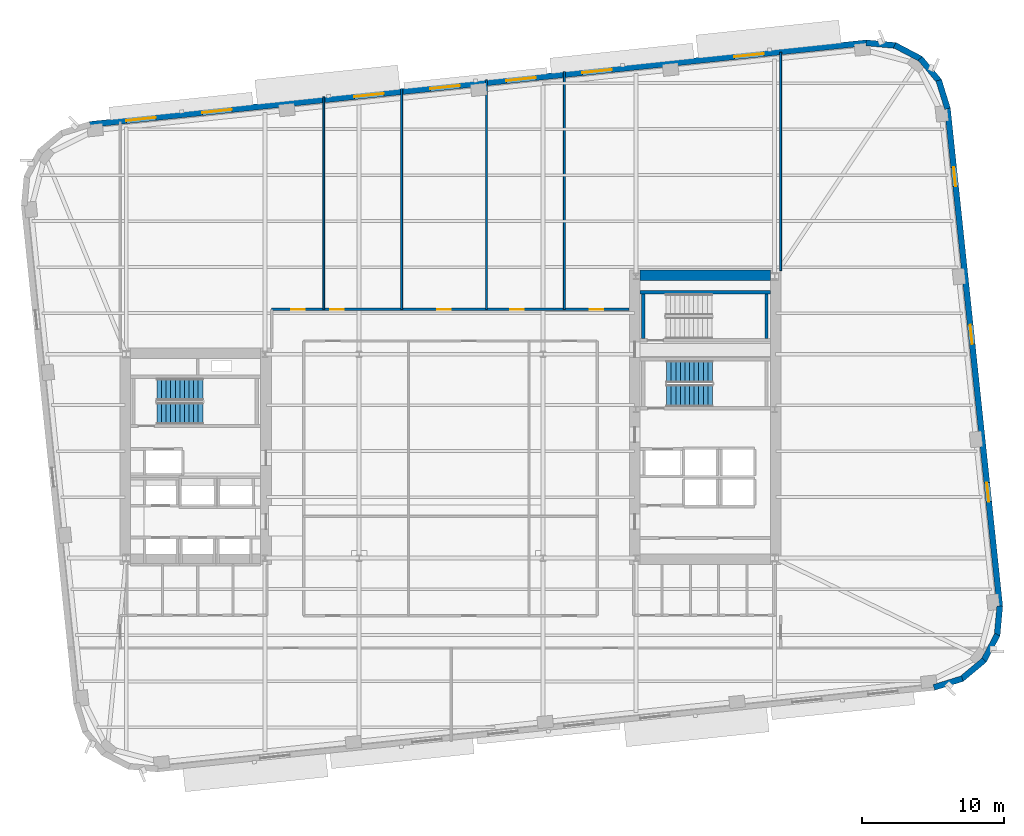
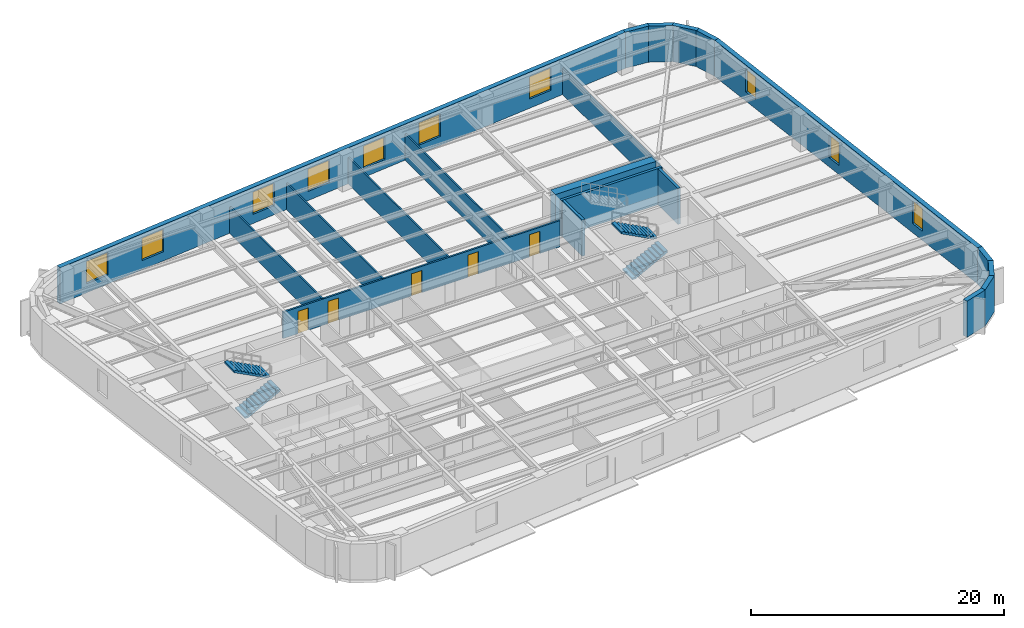
# One storey, part 7 of 15: 20 walls, 10 windows, 5 doors, 4 stair flights, 15 openings, 2 elements without a shape of their own.
"""IFC4 building model written with IfcOpenShell, lengths in metres."""

from ifc_helpers import new_model, si_unit, direction, frame, frame_2d, origin, place, context, subcontext, project, spatial, polyline, rectangle, outline, extrude, material, layer, layer_set, type_object, element, fill, aggregate, save


model = new_model("IFC4")

# Units and contexts
model_context = context("Model", 3, precision=1e-05, world=origin(), true_north=direction((0.0, 1.0)))
body_context = subcontext(model_context, "Body", "Model", "MODEL_VIEW")
ifc_project = project(units=[si_unit("LENGTHUNIT", "METRE"), si_unit("AREAUNIT", "SQUARE_METRE"), si_unit("VOLUMEUNIT", "CUBIC_METRE"), si_unit("PLANEANGLEUNIT", "RADIAN"), si_unit("MASSUNIT", "GRAM", prefix="KILO")], contexts=[model_context])

# Site, building, storey
site_placement = place(None, origin())
site = spatial("IfcSite", under=ifc_project, at=site_placement, CompositionType="ELEMENT")
building_placement = place(site_placement, origin())
building = spatial("IfcBuilding", under=site, at=building_placement, Name="Kolvaren Arena Tower", CompositionType="ELEMENT")
storey_placement = place(building_placement, frame((0.0, 0.0, 142.0)))
storey = spatial("IfcBuildingStorey", under=building, at=storey_placement, Name="L33", CompositionType="ELEMENT", Elevation=142.0)

# Wall, openings, doors
ifc_material_1 = material(Name="Gypsum board acoustic assembly", Category="gypsum")
ifc_layer_1 = layer(ifc_material_1, 0.159912109375)
ifc_layer_set_1 = layer_set([ifc_layer_1], Name="Gypsum board acoustic assembly")
wall_type_1 = type_object("IfcWallType", Name="CORR-160", PredefinedType="PARTITIONING", material=ifc_layer_set_1)
wall_1_placement = place(storey_placement, frame((24.820068359375, 37.02001953125, 0.0), z_axis=(0.0, 0.0, 1.0), x_axis=(1.0, 0.0, 0.0)))
wall_1 = element("IfcWall", 1, at=wall_1_placement, inside=storey, type_object=wall_type_1, Name="Interior Partition Wall (L33)", PredefinedType="PARTITIONING", context=body_context, shape_type="SweptSolid", body=[
    extrude(rectangle(XDim=25.260009765625, YDim=0.159912109375, at=frame_2d((12.6298828125, 0.0))), origin(), (0.0, 0.0, 1.0), 2.5400390625),
])
opening_1_placement = place(wall_1_placement, frame((1.3798828125, 0.0, 0.0)))
opening_1 = element("IfcOpeningElement", 2, at=opening_1_placement, cuts=wall_1, Name="Opening D05", PredefinedType="OPENING", context=body_context, shape_type="SweptSolid", body=[
    extrude(rectangle(XDim=0.949951171875, YDim=2.14990234375, at=frame_2d((0.47509765625, 1.074951171875))), frame((0.0, 0.08984375, 0.0), z_axis=(0.0, -1.0, 0.0), x_axis=(1.0, 0.0, 0.0)), (0.0, 0.0, 1.0), 0.179931640625),
])
opening_2_placement = place(wall_1_placement, frame((4.1298828125, 0.0, 0.0)))
opening_2 = element("IfcOpeningElement", 3, at=opening_2_placement, cuts=wall_1, Name="Opening D05", PredefinedType="OPENING", context=body_context, shape_type="SweptSolid", body=[
    extrude(rectangle(XDim=0.949951171875, YDim=2.14990234375, at=frame_2d((0.47509765625, 1.074951171875))), frame((0.0, 0.08984375, 0.0), z_axis=(0.0, -1.0, 0.0), x_axis=(1.0, 0.0, 0.0)), (0.0, 0.0, 1.0), 0.179931640625),
])
opening_3_placement = place(wall_1_placement, frame((11.705078125, 0.0, 0.0)))
opening_3 = element("IfcOpeningElement", 4, at=opening_3_placement, cuts=wall_1, Name="Opening D05", PredefinedType="OPENING", context=body_context, shape_type="SweptSolid", body=[
    extrude(rectangle(XDim=0.949951171875, YDim=2.14990234375, at=frame_2d((0.47509765625, 1.074951171875))), frame((0.0, 0.08984375, 0.0), z_axis=(0.0, -1.0, 0.0), x_axis=(1.0, 0.0, 0.0)), (0.0, 0.0, 1.0), 0.179931640625),
])
opening_4_placement = place(wall_1_placement, frame((16.85498046875, 0.0, 0.0)))
opening_4 = element("IfcOpeningElement", 5, at=opening_4_placement, cuts=wall_1, Name="Opening D05", PredefinedType="OPENING", context=body_context, shape_type="SweptSolid", body=[
    extrude(rectangle(XDim=0.949951171875, YDim=2.14990234375, at=frame_2d((0.47509765625, 1.074951171875))), frame((0.0, 0.08984375, 0.0), z_axis=(0.0, -1.0, 0.0), x_axis=(1.0, 0.0, 0.0)), (0.0, 0.0, 1.0), 0.179931640625),
])
opening_5_placement = place(wall_1_placement, frame((22.47998046875, 0.0, 0.0)))
opening_5 = element("IfcOpeningElement", 6, at=opening_5_placement, cuts=wall_1, Name="Opening D05", PredefinedType="OPENING", context=body_context, shape_type="SweptSolid", body=[
    extrude(rectangle(XDim=0.949951171875, YDim=2.14990234375, at=frame_2d((0.47509765625, 1.074951171875))), frame((0.0, 0.08984375, 0.0), z_axis=(0.0, -1.0, 0.0), x_axis=(1.0, 0.0, 0.0)), (0.0, 0.0, 1.0), 0.179931640625),
])
ifc_material_2 = material(Name="Solid-core oak acoustic office door", Category="wood")
door_type = type_object("IfcDoorType", Name="DOOR-OF-095", OperationType="NOTDEFINED", PredefinedType="DOOR", material=ifc_material_2)
door_1_placement = place(opening_1_placement, origin())
door_1 = element("IfcDoor", 7, at=door_1_placement, inside=storey, type_object=door_type, Name="Wellness Room Door (L33)", OperationType="SINGLE_SWING_LEFT", OverallHeight=2.14990234375, OverallWidth=0.949951171875, PredefinedType="DOOR", context=body_context, shape_type="SweptSolid", body=[
    extrude(rectangle(XDim=0.949951171875, YDim=2.14990234375, at=frame_2d((0.47509765625, 1.074951171875))), frame((0.0, 0.02490234375, 0.0), z_axis=(0.0, -1.0, 0.0), x_axis=(1.0, 0.0, 0.0)), (0.0, 0.0, 1.0), 0.050048828125),
])
fill(opening_1, door_1)
door_2_placement = place(opening_2_placement, origin())
door_2 = element("IfcDoor", 8, at=door_2_placement, inside=storey, type_object=door_type, Name="Open Plan Office Door (L33)", OperationType="SINGLE_SWING_RIGHT", OverallHeight=2.14990234375, OverallWidth=0.949951171875, PredefinedType="DOOR", context=body_context, shape_type="SweptSolid", body=[
    extrude(rectangle(XDim=0.949951171875, YDim=2.14990234375, at=frame_2d((0.47509765625, 1.074951171875))), frame((0.0, 0.02490234375, 0.0), z_axis=(0.0, -1.0, 0.0), x_axis=(1.0, 0.0, 0.0)), (0.0, 0.0, 1.0), 0.050048828125),
])
fill(opening_2, door_2)
door_3_placement = place(opening_3_placement, origin())
door_3 = element("IfcDoor", 9, at=door_3_placement, inside=storey, type_object=door_type, Name="Boardroom Door (L33)", OperationType="SINGLE_SWING_LEFT", OverallHeight=2.14990234375, OverallWidth=0.949951171875, PredefinedType="DOOR", context=body_context, shape_type="SweptSolid", body=[
    extrude(rectangle(XDim=0.949951171875, YDim=2.14990234375, at=frame_2d((0.47509765625, 1.074951171875))), frame((0.0, 0.02490234375, 0.0), z_axis=(0.0, -1.0, 0.0), x_axis=(1.0, 0.0, 0.0)), (0.0, 0.0, 1.0), 0.050048828125),
])
fill(opening_3, door_3)
door_4_placement = place(opening_4_placement, origin())
door_4 = element("IfcDoor", 10, at=door_4_placement, inside=storey, type_object=door_type, Name="Breakout Pantry and Kitchen Door (L33)", OperationType="SINGLE_SWING_RIGHT", OverallHeight=2.14990234375, OverallWidth=0.949951171875, PredefinedType="DOOR", context=body_context, shape_type="SweptSolid", body=[
    extrude(rectangle(XDim=0.949951171875, YDim=2.14990234375, at=frame_2d((0.47509765625, 1.074951171875))), frame((0.0, 0.02490234375, 0.0), z_axis=(0.0, -1.0, 0.0), x_axis=(1.0, 0.0, 0.0)), (0.0, 0.0, 1.0), 0.050048828125),
])
fill(opening_4, door_4)
door_5_placement = place(opening_5_placement, origin())
door_5 = element("IfcDoor", 11, at=door_5_placement, inside=storey, type_object=door_type, Name="Executive Office Door (L33)", OperationType="SINGLE_SWING_LEFT", OverallHeight=2.14990234375, OverallWidth=0.949951171875, PredefinedType="DOOR", context=body_context, shape_type="SweptSolid", body=[
    extrude(rectangle(XDim=0.949951171875, YDim=2.14990234375, at=frame_2d((0.47509765625, 1.074951171875))), frame((0.0, 0.02490234375, 0.0), z_axis=(0.0, -1.0, 0.0), x_axis=(1.0, 0.0, 0.0)), (0.0, 0.0, 1.0), 0.050048828125),
])
fill(opening_5, door_5)

# Walls
ifc_material_3 = material(Name="Concrete 70 MPa", Category="concrete")
ifc_layer_2 = layer(ifc_material_3, 0.75)
ifc_layer_set_2 = layer_set([ifc_layer_2], Name="Concrete 70 MPa")
wall_type_2 = type_object("IfcWallType", Name="CWALL-750", PredefinedType="SHEAR", material=ifc_layer_set_2)
wall_2_placement = place(storey_placement, frame((50.85009765625, 39.425048828125, -0.27001953125), z_axis=(0.0, 0.0, 1.0), x_axis=(1.0, 0.0, 0.0)))
element("IfcWall", 12, at=wall_2_placement, inside=storey, type_object=wall_type_2, Name="Core Shear Wall EC-NORTH (L33)", PredefinedType="SHEAR", context=body_context, shape_type="SweptSolid", body=[
    extrude(rectangle(XDim=9.199951171875, YDim=0.75, at=frame_2d((4.60009765625, 0.0))), origin(), (0.0, 0.0, 1.0), 3.75),
])
ifc_material_4 = material(Name="Precast concrete C50/60", Category="concrete")
ifc_layer_3 = layer(ifc_material_4, 0.419921875)
ifc_layer_set_3 = layer_set([ifc_layer_3], Name="Precast concrete C50/60")
wall_type_3 = type_object("IfcWallType", Name="EXT-PIER1", PredefinedType="SOLIDWALL", material=ifc_layer_set_3)
for number, where, z_axis, x_axis, name in (
    (13, (73.61328125, 10.93701171875, 0.0), (0.0, 0.0, 1.0), (-0.954993985335, -0.296625164093, 0.0), "Exterior Precast Masonry-Frame Wall (L33)"),
    (14, (75.1611328125, 12.2451171875, 0.0), (0.0, 0.0, 1.0), (-0.768800317178, -0.639488914921, 0.0), "Exterior Precast Masonry-Frame Wall (L33)"),
):
    element("IfcWall", number, at=place(storey_placement, frame(where, z_axis=z_axis, x_axis=x_axis)), inside=storey, type_object=wall_type_3, Name=name, PredefinedType="SOLIDWALL", context=body_context, shape_type="SweptSolid", body=[
        extrude(rectangle(XDim=2.10693359375, YDim=0.419921875, at=frame_2d((1.053466796875, 0.0))), origin(), (0.0, 0.0, 1.0), 3.47998046875),
    ])
wall_3_placement = place(storey_placement, frame((76.0908203125, 14.046142578125, 0.0), z_axis=(0.0, 0.0, 1.0), x_axis=(-0.465655699908, -0.884965970613, 0.0)))
element("IfcWall", 15, at=wall_3_placement, inside=storey, type_object=wall_type_3, Name="Exterior Precast Masonry-Frame Wall (L33)", PredefinedType="SOLIDWALL", context=body_context, shape_type="SweptSolid", body=[
    extrude(rectangle(XDim=2.107177734375, YDim=0.419921875, at=frame_2d((1.0537109375, 0.0))), origin(), (0.0, 0.0, 1.0), 3.47998046875),
])
wall_4_placement = place(storey_placement, frame((76.26025390625, 16.065673828125, 0.0), z_axis=(0.0, 0.0, 1.0), x_axis=(-0.091538655308, -0.995801523691, 0.0)))
element("IfcWall", 16, at=wall_4_placement, inside=storey, type_object=wall_type_3, Name="Exterior Precast Masonry-Frame Wall (L33)", PredefinedType="SOLIDWALL", context=body_context, shape_type="SweptSolid", body=[
    extrude(rectangle(XDim=2.10693359375, YDim=0.419921875, at=frame_2d((1.053466796875, 0.0))), origin(), (0.0, 0.0, 1.0), 3.47998046875),
])

# Wall, openings, windows
wall_5_placement = place(storey_placement, frame((72.560302734375, 51.23046875, 0.0), z_axis=(0.0, 0.0, 1.0), x_axis=(0.1045253859, -0.994522218808, 0.0)))
wall_5 = element("IfcWall", 17, at=wall_5_placement, inside=storey, type_object=wall_type_3, Name="Exterior Precast Masonry-Frame Wall (L33)", PredefinedType="SOLIDWALL", context=body_context, shape_type="SweptSolid", body=[
    extrude(rectangle(XDim=35.39990234375, YDim=0.419921875, at=frame_2d((17.699951171875, 0.0))), origin(), (0.0, 0.0, 1.0), 3.47998046875),
])
opening_6_placement = place(wall_5_placement, frame((4.199951171875, 0.0, 0.8798828125)))
opening_6 = element("IfcOpeningElement", 18, at=opening_6_placement, cuts=wall_5, Name="Opening W04", PredefinedType="OPENING", context=body_context, shape_type="SweptSolid", body=[
    extrude(rectangle(XDim=1.35009765625, YDim=2.199951171875, at=frame_2d((0.675048828125, 1.10009765625))), frame((0.0, 0.219970703125, 0.0), z_axis=(0.0, -1.0, 0.0), x_axis=(1.0, 0.0, 0.0)), (0.0, 0.0, 1.0), 0.43994140625),
])
opening_7_placement = place(wall_5_placement, frame((15.39990234375, 0.0, 0.8798828125)))
opening_7 = element("IfcOpeningElement", 19, at=opening_7_placement, cuts=wall_5, Name="Opening W04", PredefinedType="OPENING", context=body_context, shape_type="SweptSolid", body=[
    extrude(rectangle(XDim=1.35009765625, YDim=2.199951171875, at=frame_2d((0.675048828125, 1.10009765625))), frame((0.0, 0.219970703125, 0.0), z_axis=(0.0, -1.0, 0.0), x_axis=(1.0, 0.0, 0.0)), (0.0, 0.0, 1.0), 0.43994140625),
])
opening_8_placement = place(wall_5_placement, frame((26.60009765625, 0.0, 0.8798828125)))
opening_8 = element("IfcOpeningElement", 20, at=opening_8_placement, cuts=wall_5, Name="Opening W04", PredefinedType="OPENING", context=body_context, shape_type="SweptSolid", body=[
    extrude(rectangle(XDim=1.35009765625, YDim=2.199951171875, at=frame_2d((0.675048828125, 1.10009765625))), frame((0.0, 0.219970703125, 0.0), z_axis=(0.0, -1.0, 0.0), x_axis=(1.0, 0.0, 0.0)), (0.0, 0.0, 1.0), 0.43994140625),
])
ifc_material_5 = material(Name="Triple-glazed curved-facet corner window", Category="glass")
window_type_1 = type_object("IfcWindowType", Name="WIN-CRN-A", PartitioningType="SINGLE_PANEL", PredefinedType="WINDOW", material=ifc_material_5)
window_1_placement = place(opening_6_placement, origin())
window_1 = element("IfcWindow", 21, at=window_1_placement, inside=storey, type_object=window_type_1, Name="End-Wall Punched Window (L33)", OverallHeight=2.199951171875, OverallWidth=1.35009765625, PartitioningType="SINGLE_PANEL", PredefinedType="WINDOW", context=body_context, shape_type="SweptSolid", body=[
    extrude(rectangle(XDim=1.35009765625, YDim=2.199951171875, at=frame_2d((0.675048828125, 1.10009765625))), frame((0.0, 0.030029296875, 0.0), z_axis=(0.0, -1.0, 0.0), x_axis=(1.0, 0.0, 0.0)), (0.0, 0.0, 1.0), 0.06005859375),
])
fill(opening_6, window_1)
window_2_placement = place(opening_7_placement, origin())
window_2 = element("IfcWindow", 22, at=window_2_placement, inside=storey, type_object=window_type_1, Name="End-Wall Punched Window (L33)", OverallHeight=2.199951171875, OverallWidth=1.35009765625, PartitioningType="SINGLE_PANEL", PredefinedType="WINDOW", context=body_context, shape_type="SweptSolid", body=[
    extrude(rectangle(XDim=1.35009765625, YDim=2.199951171875, at=frame_2d((0.675048828125, 1.10009765625))), frame((0.0, 0.030029296875, 0.0), z_axis=(0.0, -1.0, 0.0), x_axis=(1.0, 0.0, 0.0)), (0.0, 0.0, 1.0), 0.06005859375),
])
fill(opening_7, window_2)
window_3_placement = place(opening_8_placement, origin())
window_3 = element("IfcWindow", 23, at=window_3_placement, inside=storey, type_object=window_type_1, Name="End-Wall Punched Window (L33)", OverallHeight=2.199951171875, OverallWidth=1.35009765625, PartitioningType="SINGLE_PANEL", PredefinedType="WINDOW", context=body_context, shape_type="SweptSolid", body=[
    extrude(rectangle(XDim=1.35009765625, YDim=2.199951171875, at=frame_2d((0.675048828125, 1.10009765625))), frame((0.0, 0.030029296875, 0.0), z_axis=(0.0, -1.0, 0.0), x_axis=(1.0, 0.0, 0.0)), (0.0, 0.0, 1.0), 0.06005859375),
])
fill(opening_8, window_3)

# Walls
for number, where, z_axis, x_axis, name in (
    (24, (71.943603515625, 53.202392578125, 0.0), (0.0, 0.0, 1.0), (0.296625164093, -0.954993985335, 0.0), "Exterior Precast Masonry-Frame Wall (L33)"),
    (25, (70.635498046875, 54.750244140625, 0.0), (0.0, 0.0, 1.0), (0.639488914921, -0.768800317178, 0.0), "Exterior Precast Masonry-Frame Wall (L33)"),
    (26, (68.83447265625, 55.6796875, 0.0), (0.0, 0.0, 1.0), (0.885013714693, -0.465564952296, 0.0), "Exterior Precast Masonry-Frame Wall (L33)"),
    (27, (66.81494140625, 55.849365234375, 0.0), (0.0, 0.0, 1.0), (0.995801523691, -0.091538655308, 0.0), "Exterior Precast Masonry-Frame Wall (L33)"),
):
    element("IfcWall", number, at=place(storey_placement, frame(where, z_axis=z_axis, x_axis=x_axis)), inside=storey, type_object=wall_type_3, Name=name, PredefinedType="SOLIDWALL", context=body_context, shape_type="SweptSolid", body=[
        extrude(rectangle(XDim=2.10693359375, YDim=0.419921875, at=frame_2d((1.053466796875, 0.0))), origin(), (0.0, 0.0, 1.0), 3.47998046875),
    ])

# Wall, openings, windows
wall_6_placement = place(storey_placement, frame((11.95849609375, 50.07958984375, 0.0), z_axis=(0.0, 0.0, 1.0), x_axis=(0.994521823388, 0.104529148113, 0.0)))
wall_6 = element("IfcWall", 28, at=wall_6_placement, inside=storey, type_object=wall_type_3, Name="Exterior Precast Masonry-Frame Wall (L33)", PredefinedType="SOLIDWALL", context=body_context, shape_type="SweptSolid", body=[
    extrude(rectangle(XDim=55.2001953125, YDim=0.419921875, at=frame_2d((27.60009765625, 0.0))), origin(), (0.0, 0.0, 1.0), 3.47998046875),
])
opening_9_placement = place(wall_6_placement, frame((2.60009765625, 0.0, 0.8798828125)))
opening_9 = element("IfcOpeningElement", 29, at=opening_9_placement, cuts=wall_6, Name="Opening W01", PredefinedType="OPENING", context=body_context, shape_type="SweptSolid", body=[
    extrude(rectangle(XDim=2.10009765625, YDim=2.14990234375, at=frame_2d((1.050048828125, 1.074951171875))), frame((0.0, 0.219970703125, 0.0), z_axis=(0.0, -1.0, 0.0), x_axis=(1.0, 0.0, 0.0)), (0.0, 0.0, 1.0), 0.43994140625),
])
opening_10_placement = place(wall_6_placement, frame((8.0, 0.0, 0.8798828125)))
opening_10 = element("IfcOpeningElement", 30, at=opening_10_placement, cuts=wall_6, Name="Opening W01", PredefinedType="OPENING", context=body_context, shape_type="SweptSolid", body=[
    extrude(rectangle(XDim=2.10009765625, YDim=2.14990234375, at=frame_2d((1.050048828125, 1.074951171875))), frame((0.0, 0.219970703125, 0.0), z_axis=(0.0, -1.0, 0.0), x_axis=(1.0, 0.0, 0.0)), (0.0, 0.0, 1.0), 0.43994140625),
])
opening_11_placement = place(wall_6_placement, frame((18.800048828125, 0.0, 0.8798828125)))
opening_11 = element("IfcOpeningElement", 31, at=opening_11_placement, cuts=wall_6, Name="Opening W01", PredefinedType="OPENING", context=body_context, shape_type="SweptSolid", body=[
    extrude(rectangle(XDim=2.10009765625, YDim=2.14990234375, at=frame_2d((1.050048828125, 1.074951171875))), frame((0.0, 0.219970703125, 0.0), z_axis=(0.0, -1.0, 0.0), x_axis=(1.0, 0.0, 0.0)), (0.0, 0.0, 1.0), 0.43994140625),
])
opening_12_placement = place(wall_6_placement, frame((24.199951171875, 0.0, 0.8798828125)))
opening_12 = element("IfcOpeningElement", 32, at=opening_12_placement, cuts=wall_6, Name="Opening W01", PredefinedType="OPENING", context=body_context, shape_type="SweptSolid", body=[
    extrude(rectangle(XDim=2.10009765625, YDim=2.14990234375, at=frame_2d((1.050048828125, 1.074951171875))), frame((0.0, 0.219970703125, 0.0), z_axis=(0.0, -1.0, 0.0), x_axis=(1.0, 0.0, 0.0)), (0.0, 0.0, 1.0), 0.43994140625),
])
opening_13_placement = place(wall_6_placement, frame((29.60009765625, 0.0, 0.8798828125)))
opening_13 = element("IfcOpeningElement", 33, at=opening_13_placement, cuts=wall_6, Name="Opening W01", PredefinedType="OPENING", context=body_context, shape_type="SweptSolid", body=[
    extrude(rectangle(XDim=2.10009765625, YDim=2.14990234375, at=frame_2d((1.050048828125, 1.074951171875))), frame((0.0, 0.219970703125, 0.0), z_axis=(0.0, -1.0, 0.0), x_axis=(1.0, 0.0, 0.0)), (0.0, 0.0, 1.0), 0.43994140625),
])
opening_14_placement = place(wall_6_placement, frame((35.0, 0.0, 0.8798828125)))
opening_14 = element("IfcOpeningElement", 34, at=opening_14_placement, cuts=wall_6, Name="Opening W01", PredefinedType="OPENING", context=body_context, shape_type="SweptSolid", body=[
    extrude(rectangle(XDim=2.10009765625, YDim=2.14990234375, at=frame_2d((1.050048828125, 1.074951171875))), frame((0.0, 0.219970703125, 0.0), z_axis=(0.0, -1.0, 0.0), x_axis=(1.0, 0.0, 0.0)), (0.0, 0.0, 1.0), 0.43994140625),
])
opening_15_placement = place(wall_6_placement, frame((45.800048828125, 0.0, 0.8798828125)))
opening_15 = element("IfcOpeningElement", 35, at=opening_15_placement, cuts=wall_6, Name="Opening W01", PredefinedType="OPENING", context=body_context, shape_type="SweptSolid", body=[
    extrude(rectangle(XDim=2.10009765625, YDim=2.14990234375, at=frame_2d((1.050048828125, 1.074951171875))), frame((0.0, 0.219970703125, 0.0), z_axis=(0.0, -1.0, 0.0), x_axis=(1.0, 0.0, 0.0)), (0.0, 0.0, 1.0), 0.43994140625),
])
ifc_material_6 = material(Name="Triple-glazed low-E aluminium window", Category="aluminium")
window_type_2 = type_object("IfcWindowType", Name="WIN-OFF-A", PartitioningType="DOUBLE_PANEL_VERTICAL", PredefinedType="WINDOW", material=ifc_material_6)
window_4_placement = place(opening_9_placement, origin())
window_4 = element("IfcWindow", 36, at=window_4_placement, inside=storey, type_object=window_type_2, Name="Punched Precast-Pier Window (L33)", OverallHeight=2.14990234375, OverallWidth=2.10009765625, PartitioningType="DOUBLE_PANEL_VERTICAL", PredefinedType="WINDOW", context=body_context, shape_type="SweptSolid", body=[
    extrude(rectangle(XDim=2.10009765625, YDim=2.14990234375, at=frame_2d((1.050048828125, 1.074951171875))), frame((0.0, 0.030029296875, 0.0), z_axis=(0.0, -1.0, 0.0), x_axis=(1.0, 0.0, 0.0)), (0.0, 0.0, 1.0), 0.06005859375),
])
fill(opening_9, window_4)
window_5_placement = place(opening_10_placement, origin())
window_5 = element("IfcWindow", 37, at=window_5_placement, inside=storey, type_object=window_type_2, Name="Punched Precast-Pier Window (L33)", OverallHeight=2.14990234375, OverallWidth=2.10009765625, PartitioningType="DOUBLE_PANEL_VERTICAL", PredefinedType="WINDOW", context=body_context, shape_type="SweptSolid", body=[
    extrude(rectangle(XDim=2.10009765625, YDim=2.14990234375, at=frame_2d((1.050048828125, 1.074951171875))), frame((0.0, 0.030029296875, 0.0), z_axis=(0.0, -1.0, 0.0), x_axis=(1.0, 0.0, 0.0)), (0.0, 0.0, 1.0), 0.06005859375),
])
fill(opening_10, window_5)
window_6_placement = place(opening_11_placement, origin())
window_6 = element("IfcWindow", 38, at=window_6_placement, inside=storey, type_object=window_type_2, Name="Punched Precast-Pier Window (L33)", OverallHeight=2.14990234375, OverallWidth=2.10009765625, PartitioningType="DOUBLE_PANEL_VERTICAL", PredefinedType="WINDOW", context=body_context, shape_type="SweptSolid", body=[
    extrude(rectangle(XDim=2.10009765625, YDim=2.14990234375, at=frame_2d((1.050048828125, 1.074951171875))), frame((0.0, 0.030029296875, 0.0), z_axis=(0.0, -1.0, 0.0), x_axis=(1.0, 0.0, 0.0)), (0.0, 0.0, 1.0), 0.06005859375),
])
fill(opening_11, window_6)
window_7_placement = place(opening_12_placement, origin())
window_7 = element("IfcWindow", 39, at=window_7_placement, inside=storey, type_object=window_type_2, Name="Punched Precast-Pier Window (L33)", OverallHeight=2.14990234375, OverallWidth=2.10009765625, PartitioningType="DOUBLE_PANEL_VERTICAL", PredefinedType="WINDOW", context=body_context, shape_type="SweptSolid", body=[
    extrude(rectangle(XDim=2.10009765625, YDim=2.14990234375, at=frame_2d((1.050048828125, 1.074951171875))), frame((0.0, 0.030029296875, 0.0), z_axis=(0.0, -1.0, 0.0), x_axis=(1.0, 0.0, 0.0)), (0.0, 0.0, 1.0), 0.06005859375),
])
fill(opening_12, window_7)
window_8_placement = place(opening_13_placement, origin())
window_8 = element("IfcWindow", 40, at=window_8_placement, inside=storey, type_object=window_type_2, Name="Punched Precast-Pier Window (L33)", OverallHeight=2.14990234375, OverallWidth=2.10009765625, PartitioningType="DOUBLE_PANEL_VERTICAL", PredefinedType="WINDOW", context=body_context, shape_type="SweptSolid", body=[
    extrude(rectangle(XDim=2.10009765625, YDim=2.14990234375, at=frame_2d((1.050048828125, 1.074951171875))), frame((0.0, 0.030029296875, 0.0), z_axis=(0.0, -1.0, 0.0), x_axis=(1.0, 0.0, 0.0)), (0.0, 0.0, 1.0), 0.06005859375),
])
fill(opening_13, window_8)
window_9_placement = place(opening_14_placement, origin())
window_9 = element("IfcWindow", 41, at=window_9_placement, inside=storey, type_object=window_type_2, Name="Punched Precast-Pier Window (L33)", OverallHeight=2.14990234375, OverallWidth=2.10009765625, PartitioningType="DOUBLE_PANEL_VERTICAL", PredefinedType="WINDOW", context=body_context, shape_type="SweptSolid", body=[
    extrude(rectangle(XDim=2.10009765625, YDim=2.14990234375, at=frame_2d((1.050048828125, 1.074951171875))), frame((0.0, 0.030029296875, 0.0), z_axis=(0.0, -1.0, 0.0), x_axis=(1.0, 0.0, 0.0)), (0.0, 0.0, 1.0), 0.06005859375),
])
fill(opening_14, window_9)
window_10_placement = place(opening_15_placement, origin())
window_10 = element("IfcWindow", 42, at=window_10_placement, inside=storey, type_object=window_type_2, Name="Punched Precast-Pier Window (L33)", OverallHeight=2.14990234375, OverallWidth=2.10009765625, PartitioningType="DOUBLE_PANEL_VERTICAL", PredefinedType="WINDOW", context=body_context, shape_type="SweptSolid", body=[
    extrude(rectangle(XDim=2.10009765625, YDim=2.14990234375, at=frame_2d((1.050048828125, 1.074951171875))), frame((0.0, 0.030029296875, 0.0), z_axis=(0.0, -1.0, 0.0), x_axis=(1.0, 0.0, 0.0)), (0.0, 0.0, 1.0), 0.06005859375),
])
fill(opening_15, window_10)

# Walls
ifc_material_7 = material(Name="Gypsum board partition assembly", Category="gypsum")
ifc_layer_4 = layer(ifc_material_7, 0.135009765625)
ifc_layer_set_4 = layer_set([ifc_layer_4], Name="Gypsum board partition assembly")
wall_type_4 = type_object("IfcWallType", Name="PART-135", PredefinedType="PARTITIONING", material=ifc_layer_set_4)
wall_7_placement = place(storey_placement, frame((28.5, 37.02001953125, 0.0), z_axis=(0.0, 0.0, 1.0), x_axis=(0.0, 1.0, 0.0)))
element("IfcWall", 43, at=wall_7_placement, inside=storey, type_object=wall_type_4, Name="Interior Partition Wall (L33)", PredefinedType="PARTITIONING", context=body_context, shape_type="SweptSolid", body=[
    extrude(rectangle(XDim=15.00927734375, YDim=0.135009765625, at=frame_2d((7.504638671875, 0.0))), origin(), (0.0, 0.0, 1.0), 2.5400390625),
])
wall_8_placement = place(storey_placement, frame((34.0, 37.02001953125, 0.0), z_axis=(0.0, 0.0, 1.0), x_axis=(0.0, 1.0, 0.0)))
element("IfcWall", 44, at=wall_8_placement, inside=storey, type_object=wall_type_4, Name="Interior Partition Wall (L33)", PredefinedType="PARTITIONING", context=body_context, shape_type="SweptSolid", body=[
    extrude(rectangle(XDim=15.58740234375, YDim=0.135009765625, at=frame_2d((7.793701171875, 0.0))), origin(), (0.0, 0.0, 1.0), 2.5400390625),
])
wall_9_placement = place(storey_placement, frame((40.0, 37.02001953125, 0.0), z_axis=(0.0, 0.0, 1.0), x_axis=(0.0, 1.0, 0.0)))
element("IfcWall", 45, at=wall_9_placement, inside=storey, type_object=wall_type_4, Name="Interior Partition Wall (L33)", PredefinedType="PARTITIONING", context=body_context, shape_type="SweptSolid", body=[
    extrude(rectangle(XDim=16.218017578125, YDim=0.135009765625, at=frame_2d((8.10888671875, 0.0))), origin(), (0.0, 0.0, 1.0), 2.5400390625),
])
wall_10_placement = place(storey_placement, frame((45.5, 37.02001953125, 0.0), z_axis=(0.0, 0.0, 1.0), x_axis=(0.0, 1.0, 0.0)))
element("IfcWall", 46, at=wall_10_placement, inside=storey, type_object=wall_type_4, Name="Interior Partition Wall (L33)", PredefinedType="PARTITIONING", context=body_context, shape_type="SweptSolid", body=[
    extrude(rectangle(XDim=16.796142578125, YDim=0.135009765625, at=frame_2d((8.39794921875, 0.0))), origin(), (0.0, 0.0, 1.0), 2.5400390625),
])
wall_11_placement = place(storey_placement, frame((60.780029296875, 39.75, 0.0), z_axis=(0.0, 0.0, 1.0), x_axis=(0.0, 1.0, 0.0)))
element("IfcWall", 47, at=wall_11_placement, inside=storey, type_object=wall_type_4, Name="Interior Partition Wall (L33)", PredefinedType="PARTITIONING", context=body_context, shape_type="SweptSolid", body=[
    extrude(rectangle(XDim=15.430908203125, YDim=0.135009765625, at=frame_2d((7.71533203125, 0.0))), origin(), (0.0, 0.0, 1.0), 2.5400390625),
])
ifc_material_8 = material(Name="Concrete 45 MPa", Category="concrete")
ifc_layer_5 = layer(ifc_material_8, 0.25)
ifc_layer_set_5 = layer_set([ifc_layer_5], Name="Concrete 45 MPa")
wall_type_5 = type_object("IfcWallType", Name="SHAFT-250", PredefinedType="SOLIDWALL", material=ifc_layer_set_5)
wall_12_placement = place(storey_placement, frame((50.85009765625, 38.219970703125, 0.0), z_axis=(0.0, 0.0, 1.0), x_axis=(1.0, 0.0, 0.0)))
element("IfcWall", 48, at=wall_12_placement, inside=storey, type_object=wall_type_5, Name="Core Shaft Wall (L33)", PredefinedType="SOLIDWALL", context=body_context, shape_type="SweptSolid", body=[
    extrude(rectangle(XDim=9.199951171875, YDim=0.239990234375, at=frame_2d((4.60009765625, 0.0))), origin(), (0.0, 0.0, 1.0), 3.47998046875),
])
for number, where, z_axis, x_axis, name in (
    (49, (51.06005859375, 34.949951171875, 0.0), (0.0, 0.0, 1.0), (0.0, 1.0, 0.0), "Core Shaft Wall (L33)"),
    (50, (59.780029296875, 34.949951171875, 0.0), (0.0, 0.0, 1.0), (0.0, 1.0, 0.0), "Core Shaft Wall (L33)"),
):
    element("IfcWall", number, at=place(storey_placement, frame(where, z_axis=z_axis, x_axis=x_axis)), inside=storey, type_object=wall_type_5, Name=name, PredefinedType="SOLIDWALL", context=body_context, shape_type="SweptSolid", body=[
        extrude(rectangle(XDim=3.150146484375, YDim=0.239990234375, at=frame_2d((1.5751953125, 0.0))), origin(), (0.0, 0.0, 1.0), 3.47998046875),
    ])

# Stair, stair flights
stair_type = type_object("IfcStairType", Name="STAIR-CORE-165", PredefinedType="HALF_TURN_STAIR", material=ifc_material_8)
stair_1_placement = place(storey_placement, origin())
stair_1 = element("IfcStair", 51, at=stair_1_placement, inside=storey, type_object=stair_type, Name="L33 ST-W1", PredefinedType="HALF_TURN_STAIR")
stair_flight_type = type_object("IfcStairFlightType", Name="FLT-165", PredefinedType="STRAIGHT", material=ifc_material_8)
stair_flight_1_placement = place(storey_placement, frame((16.719970703125, 29.669921875, 0.0), z_axis=(0.0, 0.0, 1.0), x_axis=(1.0, 0.0, 0.0)))
stair_flight_1 = element("IfcStairFlight", 52, at=stair_flight_1_placement, type_object=stair_flight_type, Name="ST-W1 flight 1", NumberOfRisers=11, NumberOfTreads=10, PredefinedType="STRAIGHT", RiserHeight=0.170454545, TreadLength=0.324, context=body_context, shape_type="SweptSolid", body=[
    extrude(outline(polyline([(0.0, 0.0), (0.0, 0.17041015625), (0.323974609375, 0.17041015625), (0.323974609375, 0.3408203125), (0.64794921875, 0.3408203125), (0.64794921875, 0.511474609375), (0.971923828125, 0.511474609375), (0.971923828125, 0.681884765625), (1.2958984375, 0.681884765625), (1.2958984375, 0.852294921875), (1.6201171875, 0.852294921875), (1.6201171875, 1.022705078125), (1.944091796875, 1.022705078125), (1.944091796875, 1.193115234375), (2.26806640625, 1.193115234375), (2.26806640625, 1.363525390625), (2.592041015625, 1.363525390625), (2.592041015625, 1.5341796875), (2.916015625, 1.5341796875), (2.916015625, 1.70458984375), (3.239990234375, 1.70458984375), (3.239990234375, 1.875), (3.239990234375, 1.53515625), (0.322021484375, 0.0), (0.0, 0.0)])), frame((0.0, 0.77001953125, 0.0), z_axis=(0.0, -1.0, 0.0), x_axis=(1.0, 0.0, 0.0)), (0.0, 0.0, 1.0), 1.5400390625),
])
stair_flight_2_placement = place(storey_placement, frame((19.9599609375, 31.360107421875, 1.875), z_axis=(0.0, 0.0, 1.0), x_axis=(-1.0, 0.0, 0.0)))
stair_flight_2 = element("IfcStairFlight", 53, at=stair_flight_2_placement, type_object=stair_flight_type, Name="ST-W1 flight 2", NumberOfRisers=11, NumberOfTreads=10, PredefinedType="STRAIGHT", RiserHeight=0.170454545, TreadLength=0.324, context=body_context, shape_type="SweptSolid", body=[
    extrude(outline(polyline([(0.0, 0.0), (0.0, 0.17041015625), (0.323974609375, 0.17041015625), (0.323974609375, 0.3408203125), (0.64794921875, 0.3408203125), (0.64794921875, 0.511474609375), (0.971923828125, 0.511474609375), (0.971923828125, 0.681884765625), (1.2958984375, 0.681884765625), (1.2958984375, 0.852294921875), (1.6201171875, 0.852294921875), (1.6201171875, 1.022705078125), (1.944091796875, 1.022705078125), (1.944091796875, 1.193115234375), (2.26806640625, 1.193115234375), (2.26806640625, 1.363525390625), (2.592041015625, 1.363525390625), (2.592041015625, 1.5341796875), (2.916015625, 1.5341796875), (2.916015625, 1.70458984375), (3.239990234375, 1.70458984375), (3.239990234375, 1.875), (3.239990234375, 1.53515625), (0.322021484375, 0.0), (0.0, 0.0)])), frame((0.0, 0.77001953125, 0.0), z_axis=(0.0, -1.0, 0.0), x_axis=(1.0, 0.0, 0.0)), (0.0, 0.0, 1.0), 1.5400390625),
])
aggregate(stair_1, [stair_flight_1, stair_flight_2])

stair_2_placement = place(storey_placement, origin())
stair_2 = element("IfcStair", 54, at=stair_2_placement, inside=storey, type_object=stair_type, Name="L33 ST-E1", PredefinedType="HALF_TURN_STAIR")
stair_flight_3_placement = place(storey_placement, frame((52.719970703125, 30.919921875, 0.0), z_axis=(0.0, 0.0, 1.0), x_axis=(1.0, 0.0, 0.0)))
stair_flight_3 = element("IfcStairFlight", 55, at=stair_flight_3_placement, type_object=stair_flight_type, Name="ST-E1 flight 1", NumberOfRisers=11, NumberOfTreads=10, PredefinedType="STRAIGHT", RiserHeight=0.170454545, TreadLength=0.324, context=body_context, shape_type="SweptSolid", body=[
    extrude(outline(polyline([(0.0, 0.0), (0.0, 0.17041015625), (0.323974609375, 0.17041015625), (0.323974609375, 0.3408203125), (0.64794921875, 0.3408203125), (0.64794921875, 0.511474609375), (0.971923828125, 0.511474609375), (0.971923828125, 0.681884765625), (1.2958984375, 0.681884765625), (1.2958984375, 0.852294921875), (1.6201171875, 0.852294921875), (1.6201171875, 1.022705078125), (1.944091796875, 1.022705078125), (1.944091796875, 1.193115234375), (2.26806640625, 1.193115234375), (2.26806640625, 1.363525390625), (2.592041015625, 1.363525390625), (2.592041015625, 1.5341796875), (2.916015625, 1.5341796875), (2.916015625, 1.70458984375), (3.239990234375, 1.70458984375), (3.239990234375, 1.875), (3.239990234375, 1.53515625), (0.322021484375, 0.0), (0.0, 0.0)])), frame((0.0, 0.77001953125, 0.0), z_axis=(0.0, -1.0, 0.0), x_axis=(1.0, 0.0, 0.0)), (0.0, 0.0, 1.0), 1.5400390625),
])
stair_flight_4_placement = place(storey_placement, frame((55.9599609375, 32.610107421875, 1.875), z_axis=(0.0, 0.0, 1.0), x_axis=(-1.0, 0.0, 0.0)))
stair_flight_4 = element("IfcStairFlight", 56, at=stair_flight_4_placement, type_object=stair_flight_type, Name="ST-E1 flight 2", NumberOfRisers=11, NumberOfTreads=10, PredefinedType="STRAIGHT", RiserHeight=0.170454545, TreadLength=0.324, context=body_context, shape_type="SweptSolid", body=[
    extrude(outline(polyline([(0.0, 0.0), (0.0, 0.17041015625), (0.323974609375, 0.17041015625), (0.323974609375, 0.3408203125), (0.64794921875, 0.3408203125), (0.64794921875, 0.511474609375), (0.971923828125, 0.511474609375), (0.971923828125, 0.681884765625), (1.2958984375, 0.681884765625), (1.2958984375, 0.852294921875), (1.6201171875, 0.852294921875), (1.6201171875, 1.022705078125), (1.944091796875, 1.022705078125), (1.944091796875, 1.193115234375), (2.26806640625, 1.193115234375), (2.26806640625, 1.363525390625), (2.592041015625, 1.363525390625), (2.592041015625, 1.5341796875), (2.916015625, 1.5341796875), (2.916015625, 1.70458984375), (3.239990234375, 1.70458984375), (3.239990234375, 1.875), (3.239990234375, 1.53515625), (0.322021484375, 0.0), (0.0, 0.0)])), frame((0.0, 0.77001953125, 0.0), z_axis=(0.0, -1.0, 0.0), x_axis=(1.0, 0.0, 0.0)), (0.0, 0.0, 1.0), 1.5400390625),
])
aggregate(stair_2, [stair_flight_3, stair_flight_4])

save(model, "model.ifc")
